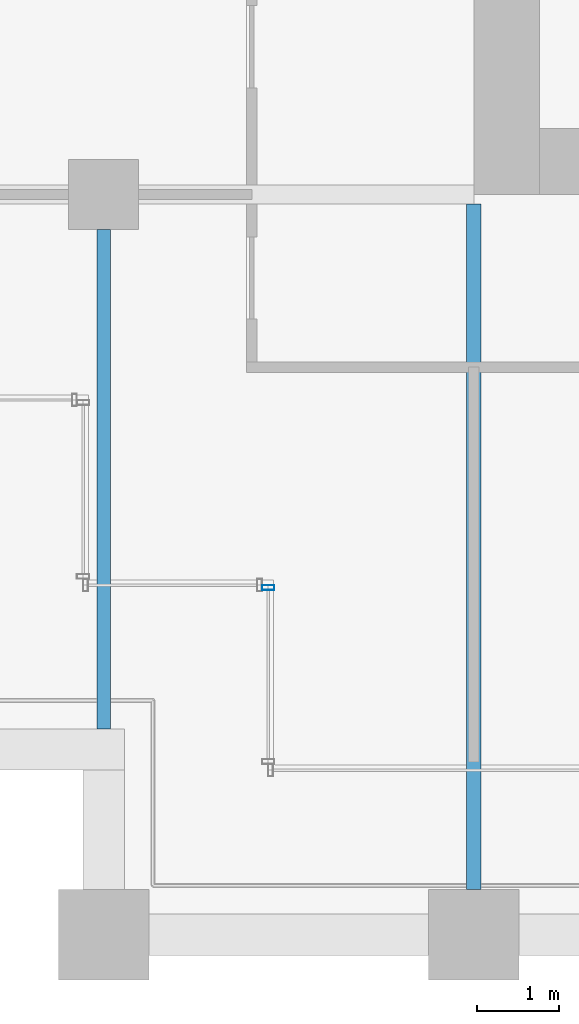
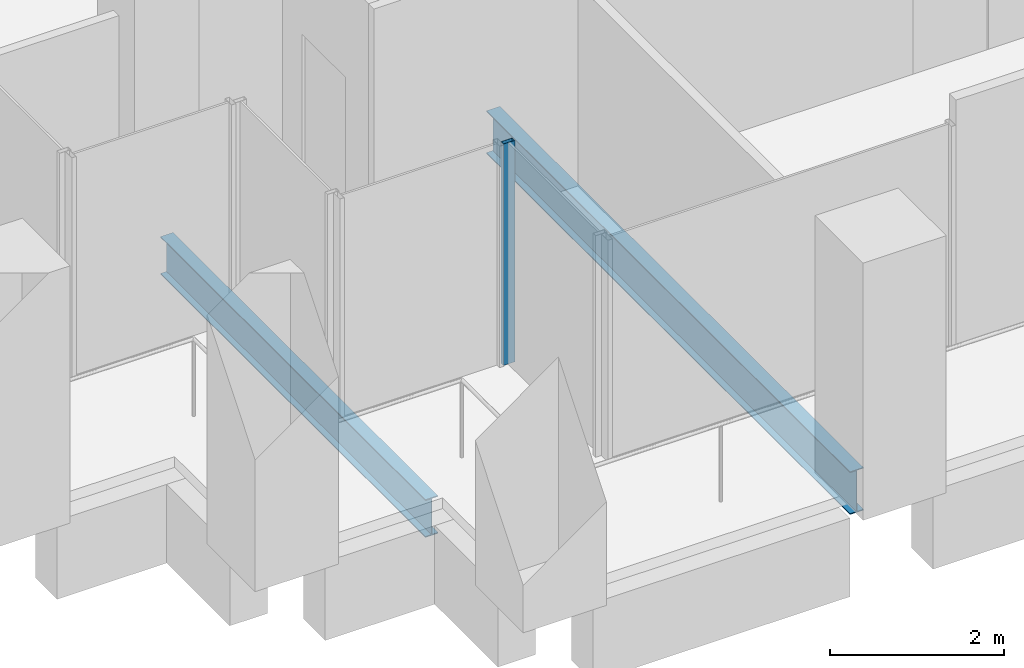
# One storey, part 35 of 56: 2 beams, 1 member, 1 element without a shape of its own.
"""IFC4 building model written with IfcOpenShell, lengths in metres."""

from ifc_helpers import new_model, si_unit, direction, frame, origin, origin_2d, place, context, subcontext, project, spatial, hollow_rectangle, i_section, extrude, material, material_profile, profile_set, type_object, element, aggregate, save


model = new_model("IFC4")

# Units and contexts
model_context = context("Model", 3, precision=1e-05, world=origin(), true_north=direction((0.0, 1.0)))
body_context = subcontext(model_context, "Body", "Model", "MODEL_VIEW")
ifc_project = project(units=[si_unit("LENGTHUNIT", "METRE"), si_unit("AREAUNIT", "SQUARE_METRE"), si_unit("VOLUMEUNIT", "CUBIC_METRE"), si_unit("PLANEANGLEUNIT", "RADIAN"), si_unit("MASSUNIT", "GRAM", prefix="KILO")], contexts=[model_context])

# Site, building, storey
site_placement = place(None, origin())
site = spatial("IfcSite", under=ifc_project, at=site_placement, CompositionType="ELEMENT")
building_placement = place(site_placement, origin())
building = spatial("IfcBuilding", under=site, at=building_placement, Name="Altepetl Exchange Towers", CompositionType="ELEMENT")
storey_placement = place(building_placement, frame((0.0, 0.0, 51.0)))
storey = spatial("IfcBuildingStorey", under=building, at=storey_placement, Name="L11", CompositionType="ELEMENT", Elevation=51.0)

# Beams
ifc_material_1 = material(Name="Steel S355", Category="steel")
ifc_material_profile_1 = material_profile(ifc_material_1, i_section(OverallWidth=0.166015625, OverallDepth=0.529052734375, WebThickness=0.009765625, FlangeThickness=0.013671875, at=origin_2d()), Name="W21X50")
ifc_profile_set_1 = profile_set([ifc_material_profile_1], Name="Steel S355")
beam_type_1 = type_object("IfcBeamType", Name="Floor beam W21X50", PredefinedType="BEAM", material=ifc_profile_set_1)
beam_1_placement = place(storey_placement, frame((99.0, 29.5, -0.41455078125), z_axis=(0.0, 1.0, 0.0), x_axis=(-1.0, 0.0, 0.0)))
element("IfcBeam", 1, at=beam_1_placement, inside=storey, type_object=beam_type_1, Name="bm:B:L11:008", PredefinedType="BEAM", context=body_context, shape_type="SweptSolid", body=[
    extrude(i_section(OverallWidth=0.166015625, OverallDepth=0.529052734375, WebThickness=0.009765625, FlangeThickness=0.013671875, at=origin_2d()), origin(), (0.0, 0.0, 1.0), 6.074951171875),
])
ifc_material_profile_2 = material_profile(ifc_material_1, i_section(OverallWidth=0.177978515625, OverallDepth=0.59912109375, WebThickness=0.010009765625, FlangeThickness=0.0126953125, at=origin_2d()), Name="W24X55")
ifc_profile_set_2 = profile_set([ifc_material_profile_2], Name="Steel S355")
beam_type_2 = type_object("IfcBeamType", Name="Floor beam W24X55", PredefinedType="BEAM", material=ifc_profile_set_2)
beam_2_placement = place(storey_placement, frame((103.5, 27.550048828125, -0.449462890625), z_axis=(0.0, 1.0, 0.0), x_axis=(-1.0, 0.0, 0.0)))
element("IfcBeam", 2, at=beam_2_placement, inside=storey, type_object=beam_type_2, Name="bm:B:L11:009", PredefinedType="BEAM", context=body_context, shape_type="SweptSolid", body=[
    extrude(i_section(OverallWidth=0.177978515625, OverallDepth=0.59912109375, WebThickness=0.010009765625, FlangeThickness=0.0126953125, at=origin_2d()), origin(), (0.0, 0.0, 1.0), 8.3359375),
])

# Curtain wall, member
ifc_material_2 = material(Name="Aluminium 6063-T6 glazing", Category="aluminium")
curtain_wall_type = type_object("IfcCurtainWallType", Name="Loggia glazing system", PredefinedType="NOTDEFINED", material=ifc_material_2)
curtain_wall_placement = place(storey_placement, origin())
curtain_wall = element("IfcCurtainWall", 3, at=curtain_wall_placement, inside=storey, type_object=curtain_wall_type, Name="CW1 run", PredefinedType="NOTDEFINED")
ifc_material_3 = material(Name="Aluminium 6063-T6", Category="aluminium")
ifc_material_profile_3 = material_profile(ifc_material_3, hollow_rectangle(XDim=0.06005859375, YDim=0.14990234375, WallThickness=0.0029296875, at=origin_2d()), Name="Mullion 60x150 aluminium")
ifc_profile_set_3 = profile_set([ifc_material_profile_3], Name="Aluminium 6063-T6")
member_type = type_object("IfcMemberType", Name="Mullion 60x150 aluminium", PredefinedType="MULLION", material=ifc_profile_set_3)
member_placement = place(storey_placement, frame((101.0, 31.219970703125, 0.0), z_axis=(0.0, 0.0, 1.0), x_axis=(0.0, -1.0, 0.0)))
member = element("IfcMember", 4, at=member_placement, type_object=member_type, Name="MU1 mullion", PredefinedType="MULLION", context=body_context, shape_type="SweptSolid", body=[
    extrude(hollow_rectangle(XDim=0.06005859375, YDim=0.14990234375, WallThickness=0.0029296875, at=origin_2d()), origin(), (0.0, 0.0, 1.0), 3.10009765625),
])
aggregate(curtain_wall, [member])

save(model, "model.ifc")
